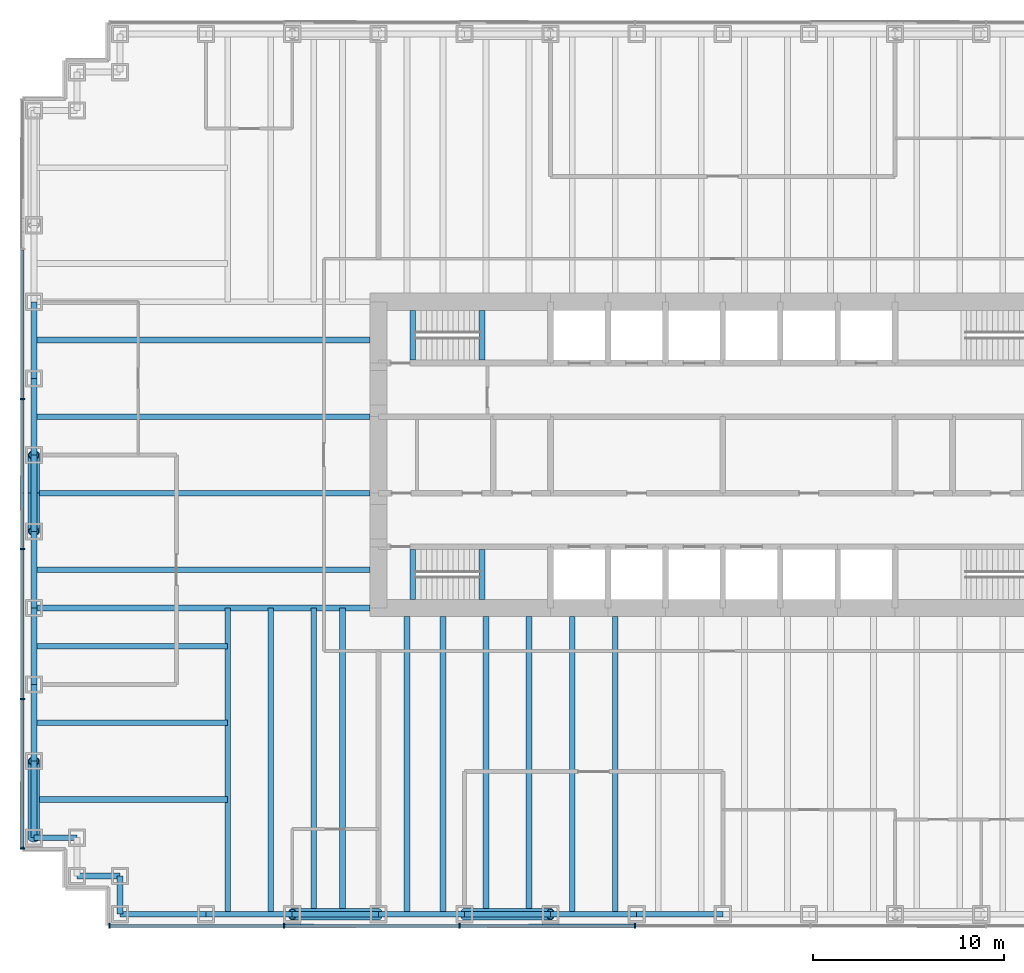
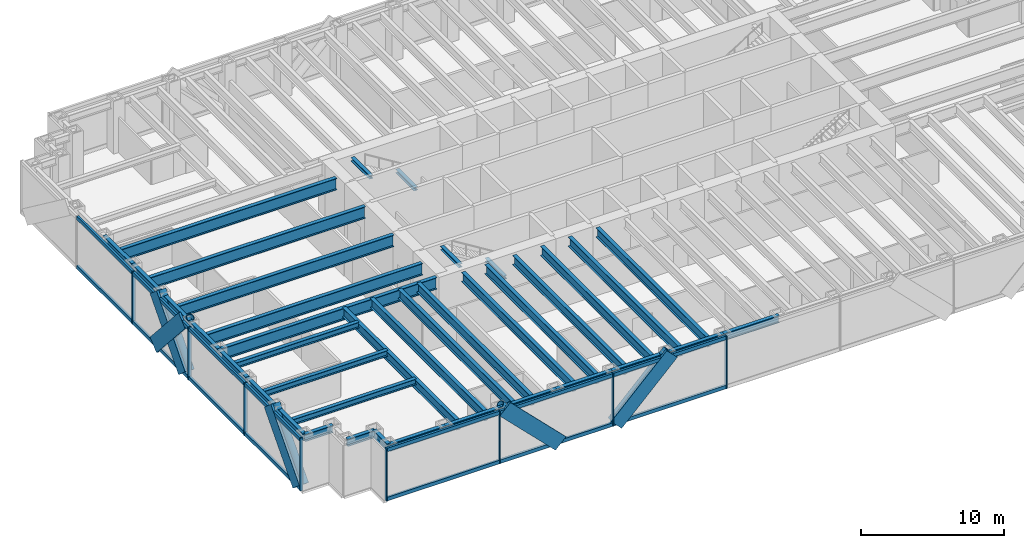
# One storey, part 2 of 13: 39 beams, 32 members, 2 elements without a shape of their own.
"""IFC4 building model written with IfcOpenShell, lengths in metres."""

from ifc_helpers import new_model, si_unit, direction, frame, origin, origin_2d, place, context, subcontext, project, spatial, rectangle, hollow_circle, i_section, extrude, material, material_profile, profile_set, type_object, element, aggregate, save


model = new_model("IFC4")

# Units and contexts
model_context = context("Model", 3, precision=1e-05, world=origin(), true_north=direction((0.0, 1.0)))
body_context = subcontext(model_context, "Body", "Model", "MODEL_VIEW")
ifc_project = project(units=[si_unit("LENGTHUNIT", "METRE"), si_unit("AREAUNIT", "SQUARE_METRE"), si_unit("VOLUMEUNIT", "CUBIC_METRE"), si_unit("PLANEANGLEUNIT", "RADIAN"), si_unit("MASSUNIT", "GRAM", prefix="KILO")], contexts=[model_context])

# Site, building, storey
site_placement = place(None, origin())
site = spatial("IfcSite", under=ifc_project, at=site_placement, CompositionType="ELEMENT")
building_placement = place(site_placement, origin())
building = spatial("IfcBuilding", under=site, at=building_placement, Name="Rheinbord Bourse Tower", CompositionType="ELEMENT")
storey_placement = place(building_placement, frame((0.0, 0.0, 81.5)))
storey = spatial("IfcBuildingStorey", under=building, at=storey_placement, Name="L17", CompositionType="ELEMENT", Elevation=81.5)

# Curtain wall, members
ifc_material_1 = material(Name="Dark glass and black aluminium", Category="aluminium")
curtain_wall_type = type_object("IfcCurtainWallType", Name="CW1 DARK GLASS CURTAIN WALL", PredefinedType="USERDEFINED", material=ifc_material_1)
curtain_wall_1_placement = place(storey_placement, origin())
curtain_wall_1 = element("IfcCurtainWall", 1, at=curtain_wall_1_placement, inside=storey, type_object=curtain_wall_type, Name="Curtain wall CW1 S L17", ObjectType="UNITISED CURTAIN WALL", PredefinedType="USERDEFINED")
ifc_material_2 = material(Name="Black anodised aluminium", Category="aluminium")
ifc_material_profile_1 = material_profile(ifc_material_2, rectangle(XDim=0.179931640625, YDim=1.2099609375, at=origin_2d()), Name="CW1 DIAGONAL MULLION 1210x180")
ifc_profile_set_1 = profile_set([ifc_material_profile_1], Name="Black anodised aluminium")
member_type_1 = type_object("IfcMemberType", Name="CW1 BLACK DIAGONAL MULLION", PredefinedType="USERDEFINED", material=ifc_profile_set_1)
member_1_placement = place(storey_placement, frame((22.5, -0.60009765625, 0.0), z_axis=(0.707106781187, 0.0, 0.707106781187), x_axis=(0.0, 1.0, 0.0)))
member_1 = element("IfcMember", 2, at=member_1_placement, type_object=member_type_1, Name="CW1 diagonal mullion b", ObjectType="DIAGONAL MULLION", PredefinedType="USERDEFINED", context=body_context, shape_type="SweptSolid", body=[
    extrude(rectangle(XDim=0.179931640625, YDim=1.2099609375, at=origin_2d()), origin(), (0.0, 0.0, 1.0), 6.364013671875),
])
member_2_placement = place(storey_placement, frame((18.0, -0.60009765625, 0.0), z_axis=(-0.707106781187, 0.0, 0.707106781187), x_axis=(0.0, -1.0, 0.0)))
member_2 = element("IfcMember", 3, at=member_2_placement, type_object=member_type_1, Name="CW1 diagonal mullion c", ObjectType="DIAGONAL MULLION", PredefinedType="USERDEFINED", context=body_context, shape_type="SweptSolid", body=[
    extrude(rectangle(XDim=0.179931640625, YDim=1.2099609375, at=origin_2d()), origin(), (0.0, 0.0, 1.0), 6.364013671875),
])

curtain_wall_2_placement = place(storey_placement, origin())
curtain_wall_2 = element("IfcCurtainWall", 4, at=curtain_wall_2_placement, inside=storey, type_object=curtain_wall_type, Name="Curtain wall CW1 W L17", ObjectType="UNITISED CURTAIN WALL", PredefinedType="USERDEFINED")
member_3_placement = place(storey_placement, frame((-0.60009765625, 4.0, 0.0), z_axis=(0.0, 0.66436383883, 0.747409318684), x_axis=(-1.0, 0.0, 0.0)))
member_3 = element("IfcMember", 5, at=member_3_placement, type_object=member_type_1, Name="CW1 diagonal mullion a", ObjectType="DIAGONAL MULLION", PredefinedType="USERDEFINED", context=body_context, shape_type="SweptSolid", body=[
    extrude(rectangle(XDim=0.179931640625, YDim=1.2099609375, at=origin_2d()), origin(), (0.0, 0.0, 1.0), 6.020751953125),
])
member_4_placement = place(storey_placement, frame((-0.60009765625, 20.0, 0.0), z_axis=(0.0, 0.66436383883, 0.747409318684), x_axis=(-1.0, 0.0, 0.0)))
member_4 = element("IfcMember", 6, at=member_4_placement, type_object=member_type_1, Name="CW1 diagonal mullion c", ObjectType="DIAGONAL MULLION", PredefinedType="USERDEFINED", context=body_context, shape_type="SweptSolid", body=[
    extrude(rectangle(XDim=0.179931640625, YDim=1.2099609375, at=origin_2d()), origin(), (0.0, 0.0, 1.0), 6.020751953125),
])
member_5_placement = place(storey_placement, frame((-0.60009765625, 24.0, 0.0), z_axis=(0.0, -0.66436383883, 0.747409318684), x_axis=(1.0, 0.0, 0.0)))
member_5 = element("IfcMember", 7, at=member_5_placement, type_object=member_type_1, Name="CW1 diagonal mullion d", ObjectType="DIAGONAL MULLION", PredefinedType="USERDEFINED", context=body_context, shape_type="SweptSolid", body=[
    extrude(rectangle(XDim=0.179931640625, YDim=1.2099609375, at=origin_2d()), origin(), (0.0, 0.0, 1.0), 6.020751953125),
])

# Member
ifc_material_3 = material(Name="Black anodised aluminium", Category="aluminium")
ifc_material_profile_2 = material_profile(ifc_material_3, rectangle(XDim=0.25, YDim=0.080078125, at=origin_2d()), Name="CW1 MULLION 80x250")
ifc_profile_set_2 = profile_set([ifc_material_profile_2], Name="Black anodised aluminium")
member_type_2 = type_object("IfcMemberType", Name="CW1 BLACK MULLION", PredefinedType="MULLION", material=ifc_profile_set_2)
member_6_placement = place(storey_placement, frame((3.93994140625, -0.60009765625, 0.0), z_axis=(0.0, 0.0, 1.0), x_axis=(0.0, 1.0, 0.0)))
member_6 = element("IfcMember", 8, at=member_6_placement, type_object=member_type_2, Name="CW1 mullion 1", PredefinedType="MULLION", context=body_context, shape_type="SweptSolid", body=[
    extrude(rectangle(XDim=0.25, YDim=0.080078125, at=origin_2d()), origin(), (0.0, 0.0, 1.0), 4.5),
])

member_7_placement = place(storey_placement, frame((13.071533203125, -0.60009765625, 0.0), z_axis=(0.0, 0.0, 1.0), x_axis=(0.0, 1.0, 0.0)))
member_7 = element("IfcMember", 9, at=member_7_placement, type_object=member_type_2, Name="CW1 mullion 2", PredefinedType="MULLION", context=body_context, shape_type="SweptSolid", body=[
    extrude(rectangle(XDim=0.25, YDim=0.080078125, at=origin_2d()), origin(), (0.0, 0.0, 1.0), 4.5),
])

member_8_placement = place(storey_placement, frame((22.242919921875, -0.60009765625, 0.0), z_axis=(0.0, 0.0, 1.0), x_axis=(0.0, 1.0, 0.0)))
member_8 = element("IfcMember", 10, at=member_8_placement, type_object=member_type_2, Name="CW1 mullion 3", PredefinedType="MULLION", context=body_context, shape_type="SweptSolid", body=[
    extrude(rectangle(XDim=0.25, YDim=0.080078125, at=origin_2d()), origin(), (0.0, 0.0, 1.0), 4.5),
])

member_9_placement = place(storey_placement, frame((31.414306640625, -0.60009765625, 0.0), z_axis=(0.0, 0.0, 1.0), x_axis=(0.0, 1.0, 0.0)))
member_9 = element("IfcMember", 11, at=member_9_placement, type_object=member_type_2, Name="CW1 mullion 4", PredefinedType="MULLION", context=body_context, shape_type="SweptSolid", body=[
    extrude(rectangle(XDim=0.25, YDim=0.080078125, at=origin_2d()), origin(), (0.0, 0.0, 1.0), 4.5),
])

member_10_placement = place(storey_placement, frame((-0.60009765625, 26.919921875, 0.0), z_axis=(0.0, 0.0, 1.0), x_axis=(1.0, 0.0, 0.0)))
member_10 = element("IfcMember", 12, at=member_10_placement, type_object=member_type_2, Name="CW1 mullion 3", PredefinedType="MULLION", context=body_context, shape_type="SweptSolid", body=[
    extrude(rectangle(XDim=0.25, YDim=0.080078125, at=origin_2d()), origin(), (0.0, 0.0, 1.0), 4.5),
])

member_11_placement = place(storey_placement, frame((-0.60009765625, 19.080078125, 0.0), z_axis=(0.0, 0.0, 1.0), x_axis=(1.0, 0.0, 0.0)))
member_11 = element("IfcMember", 13, at=member_11_placement, type_object=member_type_2, Name="CW1 mullion 4", PredefinedType="MULLION", context=body_context, shape_type="SweptSolid", body=[
    extrude(rectangle(XDim=0.25, YDim=0.080078125, at=origin_2d()), origin(), (0.0, 0.0, 1.0), 4.5),
])

member_12_placement = place(storey_placement, frame((-0.60009765625, 11.239990234375, 0.0), z_axis=(0.0, 0.0, 1.0), x_axis=(1.0, 0.0, 0.0)))
member_12 = element("IfcMember", 14, at=member_12_placement, type_object=member_type_2, Name="CW1 mullion 5", PredefinedType="MULLION", context=body_context, shape_type="SweptSolid", body=[
    extrude(rectangle(XDim=0.25, YDim=0.080078125, at=origin_2d()), origin(), (0.0, 0.0, 1.0), 4.5),
])

member_13_placement = place(storey_placement, frame((-0.60009765625, 3.43994140625, 0.0), z_axis=(0.0, 0.0, 1.0), x_axis=(1.0, 0.0, 0.0)))
member_13 = element("IfcMember", 15, at=member_13_placement, type_object=member_type_2, Name="CW1 mullion 6", PredefinedType="MULLION", context=body_context, shape_type="SweptSolid", body=[
    extrude(rectangle(XDim=0.25, YDim=0.080078125, at=origin_2d()), origin(), (0.0, 0.0, 1.0), 4.5),
])

ifc_material_4 = material(Name="Black anodised aluminium", Category="aluminium")
ifc_material_profile_3 = material_profile(ifc_material_4, rectangle(XDim=0.179931640625, YDim=0.300048828125, at=origin_2d()), Name="CW1 TRANSOM 300x180")
ifc_profile_set_3 = profile_set([ifc_material_profile_3], Name="Black anodised aluminium")
member_type_3 = type_object("IfcMemberType", Name="CW1 BLACK TRANSOM", PredefinedType="USERDEFINED", material=ifc_profile_set_3)
member_14_placement = place(storey_placement, frame((3.97998046875, -0.60009765625, 0.14990234375), z_axis=(1.0, 0.0, 0.0), x_axis=(0.0, 1.0, 0.0)))
member_14 = element("IfcMember", 16, at=member_14_placement, type_object=member_type_3, Name="CW1 transom 1.1", ObjectType="TRANSOM", PredefinedType="USERDEFINED", context=body_context, shape_type="SweptSolid", body=[
    extrude(rectangle(XDim=0.179931640625, YDim=0.300048828125, at=origin_2d()), origin(), (0.0, 0.0, 1.0), 9.051513671875),
])

member_15_placement = place(storey_placement, frame((3.97998046875, -0.60009765625, 4.35009765625), z_axis=(1.0, 0.0, 0.0), x_axis=(0.0, 1.0, 0.0)))
member_15 = element("IfcMember", 17, at=member_15_placement, type_object=member_type_3, Name="CW1 transom 1.2", ObjectType="TRANSOM", PredefinedType="USERDEFINED", context=body_context, shape_type="SweptSolid", body=[
    extrude(rectangle(XDim=0.179931640625, YDim=0.300048828125, at=origin_2d()), origin(), (0.0, 0.0, 1.0), 9.051513671875),
])

member_16_placement = place(storey_placement, frame((13.111328125, -0.60009765625, 0.14990234375), z_axis=(1.0, 0.0, 0.0), x_axis=(0.0, 1.0, 0.0)))
member_16 = element("IfcMember", 18, at=member_16_placement, type_object=member_type_3, Name="CW1 transom 2.1", ObjectType="TRANSOM", PredefinedType="USERDEFINED", context=body_context, shape_type="SweptSolid", body=[
    extrude(rectangle(XDim=0.179931640625, YDim=0.300048828125, at=origin_2d()), origin(), (0.0, 0.0, 1.0), 9.091552734375),
])

member_17_placement = place(storey_placement, frame((13.111328125, -0.60009765625, 4.35009765625), z_axis=(1.0, 0.0, 0.0), x_axis=(0.0, 1.0, 0.0)))
member_17 = element("IfcMember", 19, at=member_17_placement, type_object=member_type_3, Name="CW1 transom 2.2", ObjectType="TRANSOM", PredefinedType="USERDEFINED", context=body_context, shape_type="SweptSolid", body=[
    extrude(rectangle(XDim=0.179931640625, YDim=0.300048828125, at=origin_2d()), origin(), (0.0, 0.0, 1.0), 9.091552734375),
])

member_18_placement = place(storey_placement, frame((22.282958984375, -0.60009765625, 0.14990234375), z_axis=(1.0, 0.0, 0.0), x_axis=(0.0, 1.0, 0.0)))
member_18 = element("IfcMember", 20, at=member_18_placement, type_object=member_type_3, Name="CW1 transom 3.1", ObjectType="TRANSOM", PredefinedType="USERDEFINED", context=body_context, shape_type="SweptSolid", body=[
    extrude(rectangle(XDim=0.179931640625, YDim=0.300048828125, at=origin_2d()), origin(), (0.0, 0.0, 1.0), 9.09130859375),
])

member_19_placement = place(storey_placement, frame((22.282958984375, -0.60009765625, 4.35009765625), z_axis=(1.0, 0.0, 0.0), x_axis=(0.0, 1.0, 0.0)))
member_19 = element("IfcMember", 21, at=member_19_placement, type_object=member_type_3, Name="CW1 transom 3.2", ObjectType="TRANSOM", PredefinedType="USERDEFINED", context=body_context, shape_type="SweptSolid", body=[
    extrude(rectangle(XDim=0.179931640625, YDim=0.300048828125, at=origin_2d()), origin(), (0.0, 0.0, 1.0), 9.09130859375),
])

aggregate(curtain_wall_1, [member_6, member_7, member_8, member_9, member_14, member_15, member_16, member_17, member_18, member_19, member_1, member_2])

member_20_placement = place(storey_placement, frame((-0.60009765625, 34.719970703125, 0.14990234375), z_axis=(0.0, -1.0, 0.0), x_axis=(1.0, 0.0, 0.0)))
member_20 = element("IfcMember", 22, at=member_20_placement, type_object=member_type_3, Name="CW1 transom 2.1", ObjectType="TRANSOM", PredefinedType="USERDEFINED", context=body_context, shape_type="SweptSolid", body=[
    extrude(rectangle(XDim=0.179931640625, YDim=0.300048828125, at=origin_2d()), origin(), (0.0, 0.0, 1.0), 7.760009765625),
])

member_21_placement = place(storey_placement, frame((-0.60009765625, 34.719970703125, 4.35009765625), z_axis=(0.0, -1.0, 0.0), x_axis=(1.0, 0.0, 0.0)))
member_21 = element("IfcMember", 23, at=member_21_placement, type_object=member_type_3, Name="CW1 transom 2.2", ObjectType="TRANSOM", PredefinedType="USERDEFINED", context=body_context, shape_type="SweptSolid", body=[
    extrude(rectangle(XDim=0.179931640625, YDim=0.300048828125, at=origin_2d()), origin(), (0.0, 0.0, 1.0), 7.760009765625),
])

member_22_placement = place(storey_placement, frame((-0.60009765625, 26.8798828125, 0.14990234375), z_axis=(0.0, -1.0, 0.0), x_axis=(1.0, 0.0, 0.0)))
member_22 = element("IfcMember", 24, at=member_22_placement, type_object=member_type_3, Name="CW1 transom 3.1", ObjectType="TRANSOM", PredefinedType="USERDEFINED", context=body_context, shape_type="SweptSolid", body=[
    extrude(rectangle(XDim=0.179931640625, YDim=0.300048828125, at=origin_2d()), origin(), (0.0, 0.0, 1.0), 7.759765625),
])

member_23_placement = place(storey_placement, frame((-0.60009765625, 26.8798828125, 4.35009765625), z_axis=(0.0, -1.0, 0.0), x_axis=(1.0, 0.0, 0.0)))
member_23 = element("IfcMember", 25, at=member_23_placement, type_object=member_type_3, Name="CW1 transom 3.2", ObjectType="TRANSOM", PredefinedType="USERDEFINED", context=body_context, shape_type="SweptSolid", body=[
    extrude(rectangle(XDim=0.179931640625, YDim=0.300048828125, at=origin_2d()), origin(), (0.0, 0.0, 1.0), 7.759765625),
])

member_24_placement = place(storey_placement, frame((-0.60009765625, 19.0400390625, 0.14990234375), z_axis=(0.0, -1.0, 0.0), x_axis=(1.0, 0.0, 0.0)))
member_24 = element("IfcMember", 26, at=member_24_placement, type_object=member_type_3, Name="CW1 transom 4.1", ObjectType="TRANSOM", PredefinedType="USERDEFINED", context=body_context, shape_type="SweptSolid", body=[
    extrude(rectangle(XDim=0.179931640625, YDim=0.300048828125, at=origin_2d()), origin(), (0.0, 0.0, 1.0), 7.760009765625),
])

member_25_placement = place(storey_placement, frame((-0.60009765625, 19.0400390625, 4.35009765625), z_axis=(0.0, -1.0, 0.0), x_axis=(1.0, 0.0, 0.0)))
member_25 = element("IfcMember", 27, at=member_25_placement, type_object=member_type_3, Name="CW1 transom 4.2", ObjectType="TRANSOM", PredefinedType="USERDEFINED", context=body_context, shape_type="SweptSolid", body=[
    extrude(rectangle(XDim=0.179931640625, YDim=0.300048828125, at=origin_2d()), origin(), (0.0, 0.0, 1.0), 7.760009765625),
])

member_26_placement = place(storey_placement, frame((-0.60009765625, 11.199951171875, 0.14990234375), z_axis=(0.0, -1.0, 0.0), x_axis=(1.0, 0.0, 0.0)))
member_26 = element("IfcMember", 28, at=member_26_placement, type_object=member_type_3, Name="CW1 transom 5.1", ObjectType="TRANSOM", PredefinedType="USERDEFINED", context=body_context, shape_type="SweptSolid", body=[
    extrude(rectangle(XDim=0.179931640625, YDim=0.300048828125, at=origin_2d()), origin(), (0.0, 0.0, 1.0), 7.719970703125),
])

member_27_placement = place(storey_placement, frame((-0.60009765625, 11.199951171875, 4.35009765625), z_axis=(0.0, -1.0, 0.0), x_axis=(1.0, 0.0, 0.0)))
member_27 = element("IfcMember", 29, at=member_27_placement, type_object=member_type_3, Name="CW1 transom 5.2", ObjectType="TRANSOM", PredefinedType="USERDEFINED", context=body_context, shape_type="SweptSolid", body=[
    extrude(rectangle(XDim=0.179931640625, YDim=0.300048828125, at=origin_2d()), origin(), (0.0, 0.0, 1.0), 7.719970703125),
])

aggregate(curtain_wall_2, [member_10, member_11, member_12, member_13, member_20, member_21, member_22, member_23, member_24, member_25, member_26, member_27, member_3, member_4, member_5])

# Beams
ifc_material_5 = material(Name="Steel S460", Category="steel")
ifc_material_profile_4 = material_profile(ifc_material_5, i_section(OverallWidth=0.302001953125, OverallDepth=1.008056640625, WebThickness=0.02099609375, FlangeThickness=0.0400390625, at=origin_2d()), Name="HEM 1000")
ifc_profile_set_4 = profile_set([ifc_material_profile_4], Name="Steel S460")
beam_type_1 = type_object("IfcBeamType", Name="END BEAM HEM 1000", PredefinedType="BEAM", material=ifc_profile_set_4)
for number, where, z_axis, x_axis, name in (
    (30, (0.0, 18.0, 3.81591796875), (1.0, 0.0, 0.0), (0.0, 1.0, 0.0), "End beam west 18 L18"),
    (31, (0.0, 22.0, 3.81591796875), (1.0, 0.0, 0.0), (0.0, 1.0, 0.0), "End beam west 22 L18"),
    (32, (0.0, 26.0, 3.81591796875), (1.0, 0.0, 0.0), (0.0, 1.0, 0.0), "End beam west 26 L18"),
    (33, (0.0, 30.0, 3.81591796875), (1.0, 0.0, 0.0), (0.0, 1.0, 0.0), "End beam west 30 L18"),
):
    element("IfcBeam", number, at=place(storey_placement, frame(where, z_axis=z_axis, x_axis=x_axis)), inside=storey, type_object=beam_type_1, Name=name, PredefinedType="BEAM", context=body_context, shape_type="SweptSolid", body=[
        extrude(i_section(OverallWidth=0.302001953125, OverallDepth=1.008056640625, WebThickness=0.02099609375, FlangeThickness=0.0400390625, at=origin_2d()), origin(), (0.0, 0.0, 1.0), 17.550048828125),
    ])
ifc_material_6 = material(Name="Steel S460", Category="steel")
ifc_material_profile_5 = material_profile(ifc_material_6, i_section(OverallWidth=0.300048828125, OverallDepth=0.800048828125, WebThickness=0.017578125, FlangeThickness=0.032958984375, at=origin_2d()), Name="HEB 800")
ifc_profile_set_5 = profile_set([ifc_material_profile_5], Name="Steel S460")
beam_type_2 = type_object("IfcBeamType", Name="FLOOR BEAM HEB 800", PredefinedType="BEAM", material=ifc_profile_set_5)
for number, where, z_axis, x_axis, name in (
    (34, (10.125, 0.0, 3.919921875), (0.0, 1.0, 0.0), (-1.0, 0.0, 0.0), "Floor beam S-9a L18"),
    (35, (12.375, 0.0, 3.919921875), (0.0, 1.0, 0.0), (-1.0, 0.0, 0.0), "Floor beam S-9b L18"),
    (36, (14.625, 0.0, 3.919921875), (0.0, 1.0, 0.0), (-1.0, 0.0, 0.0), "Floor beam S-13.5a L18"),
    (37, (16.125, 0.0, 3.919921875), (0.0, 1.0, 0.0), (-1.0, 0.0, 0.0), "Floor beam S-13.5b L18"),
):
    element("IfcBeam", number, at=place(storey_placement, frame(where, z_axis=z_axis, x_axis=x_axis)), inside=storey, type_object=beam_type_2, Name=name, PredefinedType="BEAM", context=body_context, shape_type="SweptSolid", body=[
        extrude(i_section(OverallWidth=0.300048828125, OverallDepth=0.800048828125, WebThickness=0.017578125, FlangeThickness=0.032958984375, at=origin_2d()), origin(), (0.0, 0.0, 1.0), 16.0),
    ])
for number, where, z_axis, x_axis, name in (
    (38, (19.5, 0.0, 3.919921875), (0.0, 1.0, 0.0), (-1.0, 0.0, 0.0), "Floor beam S-18a L18"),
    (39, (21.375, 0.0, 3.919921875), (0.0, 1.0, 0.0), (-1.0, 0.0, 0.0), "Floor beam S-18b L18"),
    (40, (23.625, 0.0, 3.919921875), (0.0, 1.0, 0.0), (-1.0, 0.0, 0.0), "Floor beam S-22.5a L18"),
    (41, (25.875, 0.0, 3.919921875), (0.0, 1.0, 0.0), (-1.0, 0.0, 0.0), "Floor beam S-22.5b L18"),
    (42, (28.125, 0.0, 3.919921875), (0.0, 1.0, 0.0), (-1.0, 0.0, 0.0), "Floor beam S-27a L18"),
    (43, (30.375, 0.0, 3.919921875), (0.0, 1.0, 0.0), (-1.0, 0.0, 0.0), "Floor beam S-27b L18"),
):
    element("IfcBeam", number, at=place(storey_placement, frame(where, z_axis=z_axis, x_axis=x_axis)), inside=storey, type_object=beam_type_2, Name=name, PredefinedType="BEAM", context=body_context, shape_type="SweptSolid", body=[
        extrude(i_section(OverallWidth=0.300048828125, OverallDepth=0.800048828125, WebThickness=0.017578125, FlangeThickness=0.032958984375, at=origin_2d()), origin(), (0.0, 0.0, 1.0), 15.550048828125),
    ])
ifc_material_7 = material(Name="Steel S460", Category="steel")
ifc_material_profile_6 = material_profile(ifc_material_7, i_section(OverallWidth=0.302001953125, OverallDepth=1.008056640625, WebThickness=0.02099609375, FlangeThickness=0.0400390625, at=origin_2d()), Name="HEM 1000")
ifc_profile_set_6 = profile_set([ifc_material_profile_6], Name="Steel S460")
beam_type_3 = type_object("IfcBeamType", Name="GIRDER HEM 1000", PredefinedType="BEAM", material=ifc_profile_set_6)
beam_1_placement = place(storey_placement, frame((0.0, 16.0, 3.81591796875), z_axis=(1.0, 0.0, 0.0), x_axis=(0.0, 1.0, 0.0)))
element("IfcBeam", 44, at=beam_1_placement, inside=storey, type_object=beam_type_3, Name="Girder west 16 L18", PredefinedType="BEAM", context=body_context, shape_type="SweptSolid", body=[
    extrude(i_section(OverallWidth=0.302001953125, OverallDepth=1.008056640625, WebThickness=0.02099609375, FlangeThickness=0.0400390625, at=origin_2d()), origin(), (0.0, 0.0, 1.0), 17.550048828125),
])
ifc_material_8 = material(Name="Steel S460", Category="steel")
ifc_material_profile_7 = material_profile(ifc_material_8, i_section(OverallWidth=0.300048828125, OverallDepth=0.300048828125, WebThickness=0.010986328125, FlangeThickness=0.01904296875, at=origin_2d()), Name="HEB 300")
ifc_profile_set_7 = profile_set([ifc_material_profile_7], Name="Steel S460")
beam_type_4 = type_object("IfcBeamType", Name="LANDING TRIMMER HEB 300", PredefinedType="BEAM", material=ifc_profile_set_7)
for number, where, z_axis, x_axis, name in (
    (45, (23.409912109375, 16.449951171875, 1.89990234375), (0.0, 1.0, 0.0), (-1.0, 0.0, 0.0), "Landing trimmer ST1 L17"),
    (46, (19.800048828125, 16.449951171875, 4.169921875), (0.0, 1.0, 0.0), (-1.0, 0.0, 0.0), "Well trimmer ST1 under L18"),
    (47, (23.409912109375, 28.949951171875, 1.89990234375), (0.0, 1.0, 0.0), (-1.0, 0.0, 0.0), "Landing trimmer ST2 L17"),
    (48, (19.800048828125, 28.949951171875, 4.169921875), (0.0, 1.0, 0.0), (-1.0, 0.0, 0.0), "Well trimmer ST2 under L18"),
):
    element("IfcBeam", number, at=place(storey_placement, frame(where, z_axis=z_axis, x_axis=x_axis)), inside=storey, type_object=beam_type_4, Name=name, PredefinedType="BEAM", context=body_context, shape_type="SweptSolid", body=[
        extrude(i_section(OverallWidth=0.300048828125, OverallDepth=0.300048828125, WebThickness=0.010986328125, FlangeThickness=0.01904296875, at=origin_2d()), origin(), (0.0, 0.0, 1.0), 2.60009765625),
    ])

# Members
ifc_material_9 = material(Name="Steel S460", Category="steel")
ifc_material_profile_8 = material_profile(ifc_material_9, hollow_circle(Radius=0.304931640625, WallThickness=0.050048828125, at=origin_2d()), Name="CHS 610x50")
ifc_profile_set_8 = profile_set([ifc_material_profile_8], Name="Steel S460")
member_type_4 = type_object("IfcMemberType", Name="MEGABRACE CHS 610x50", PredefinedType="BRACE", material=ifc_profile_set_8)
for number, where, z_axis, x_axis, name in (
    (49, (22.5, 0.0, 0.0), (0.707106781187, 0.0, 0.707106781187), (0.0, 1.0, 0.0), "Megabrace S face line b L17"),
    (50, (18.0, 0.0, 0.0), (-0.707106781187, 0.0, 0.707106781187), (0.0, -1.0, 0.0), "Megabrace S face line c L17"),
):
    element("IfcMember", number, at=place(storey_placement, frame(where, z_axis=z_axis, x_axis=x_axis)), inside=storey, type_object=member_type_4, Name=name, PredefinedType="BRACE", context=body_context, shape_type="SweptSolid", body=[
        extrude(hollow_circle(Radius=0.304931640625, WallThickness=0.050048828125, at=origin_2d()), origin(), (0.0, 0.0, 1.0), 6.364013671875),
    ])
for number, where, z_axis, x_axis, name in (
    (51, (0.0, 4.0, 0.0), (0.0, 0.66436383883, 0.747409318684), (-1.0, 0.0, 0.0), "Megabrace W face line a L17"),
    (52, (0.0, 20.0, 0.0), (0.0, 0.66436383883, 0.747409318684), (-1.0, 0.0, 0.0), "Megabrace W face line c L17"),
    (53, (0.0, 24.0, 0.0), (0.0, -0.66436383883, 0.747409318684), (1.0, 0.0, 0.0), "Megabrace W face line d L17"),
):
    element("IfcMember", number, at=place(storey_placement, frame(where, z_axis=z_axis, x_axis=x_axis)), inside=storey, type_object=member_type_4, Name=name, PredefinedType="BRACE", context=body_context, shape_type="SweptSolid", body=[
        extrude(hollow_circle(Radius=0.304931640625, WallThickness=0.050048828125, at=origin_2d()), origin(), (0.0, 0.0, 1.0), 6.020751953125),
    ])

# Beams
ifc_material_10 = material(Name="Steel S460", Category="steel")
ifc_material_profile_9 = material_profile(ifc_material_10, i_section(OverallWidth=0.304931640625, OverallDepth=0.6201171875, WebThickness=0.02099609375, FlangeThickness=0.0400390625, at=origin_2d()), Name="HEM 600")
ifc_profile_set_9 = profile_set([ifc_material_profile_9], Name="Steel S460")
beam_type_5 = type_object("IfcBeamType", Name="SPANDREL HEM 600", PredefinedType="SPANDREL", material=ifc_profile_set_9)
for number, where, z_axis, x_axis, name in (
    (54, (4.5, 0.0, 4.010009765625), (1.0, 0.0, 0.0), (0.0, 1.0, 0.0), "Spandrel SW-E-S-9 under L18"),
    (55, (9.0, 0.0, 4.010009765625), (1.0, 0.0, 0.0), (0.0, 1.0, 0.0), "Spandrel S-9-S-13.5 under L18"),
    (56, (13.5, 0.0, 4.010009765625), (1.0, 0.0, 0.0), (0.0, 1.0, 0.0), "Spandrel S-13.5-S-18 under L18"),
    (57, (18.0, 0.0, 4.010009765625), (1.0, 0.0, 0.0), (0.0, 1.0, 0.0), "Spandrel S-18-S-22.5 under L18"),
    (58, (22.5, 0.0, 4.010009765625), (1.0, 0.0, 0.0), (0.0, 1.0, 0.0), "Spandrel S-22.5-S-27 under L18"),
    (59, (27.0, 0.0, 4.010009765625), (1.0, 0.0, 0.0), (0.0, 1.0, 0.0), "Spandrel S-27-S-31.5 under L18"),
    (60, (31.5, 0.0, 4.010009765625), (1.0, 0.0, 0.0), (0.0, 1.0, 0.0), "Spandrel S-31.5-S-36 under L18"),
):
    element("IfcBeam", number, at=place(storey_placement, frame(where, z_axis=z_axis, x_axis=x_axis)), inside=storey, type_object=beam_type_5, Name=name, PredefinedType="SPANDREL", context=body_context, shape_type="SweptSolid", body=[
        extrude(i_section(OverallWidth=0.304931640625, OverallDepth=0.6201171875, WebThickness=0.02099609375, FlangeThickness=0.0400390625, at=origin_2d()), origin(), (0.0, 0.0, 1.0), 4.5),
    ])
for number, where, z_axis, x_axis, name in (
    (61, (0.0, 32.0, 4.010009765625), (0.0, -1.0, 0.0), (1.0, 0.0, 0.0), "Spandrel W-32-W-28 under L18"),
    (62, (0.0, 28.0, 4.010009765625), (0.0, -1.0, 0.0), (1.0, 0.0, 0.0), "Spandrel W-28-W-24 under L18"),
    (63, (0.0, 24.0, 4.010009765625), (0.0, -1.0, 0.0), (1.0, 0.0, 0.0), "Spandrel W-24-W-20 under L18"),
    (64, (0.0, 20.0, 4.010009765625), (0.0, -1.0, 0.0), (1.0, 0.0, 0.0), "Spandrel W-20-W-16 under L18"),
    (65, (0.0, 16.0, 4.010009765625), (0.0, -1.0, 0.0), (1.0, 0.0, 0.0), "Spandrel W-16-W-12 under L18"),
    (66, (0.0, 12.0, 4.010009765625), (0.0, -1.0, 0.0), (1.0, 0.0, 0.0), "Spandrel W-12-W-8 under L18"),
    (67, (0.0, 8.0, 4.010009765625), (0.0, -1.0, 0.0), (1.0, 0.0, 0.0), "Spandrel W-8-SW-A under L18"),
):
    element("IfcBeam", number, at=place(storey_placement, frame(where, z_axis=z_axis, x_axis=x_axis)), inside=storey, type_object=beam_type_5, Name=name, PredefinedType="SPANDREL", context=body_context, shape_type="SweptSolid", body=[
        extrude(i_section(OverallWidth=0.304931640625, OverallDepth=0.6201171875, WebThickness=0.02099609375, FlangeThickness=0.0400390625, at=origin_2d()), origin(), (0.0, 0.0, 1.0), 4.0),
    ])
for number, where, z_axis, x_axis, name in (
    (68, (0.0, 4.0, 4.010009765625), (1.0, 0.0, 0.0), (0.0, 1.0, 0.0), "Spandrel SW-A-SW-B under L18"),
    (69, (2.25, 2.0, 4.010009765625), (1.0, 0.0, 0.0), (0.0, 1.0, 0.0), "Spandrel SW-C-SW-D under L18"),
):
    element("IfcBeam", number, at=place(storey_placement, frame(where, z_axis=z_axis, x_axis=x_axis)), inside=storey, type_object=beam_type_5, Name=name, PredefinedType="SPANDREL", context=body_context, shape_type="SweptSolid", body=[
        extrude(i_section(OverallWidth=0.304931640625, OverallDepth=0.6201171875, WebThickness=0.02099609375, FlangeThickness=0.0400390625, at=origin_2d()), origin(), (0.0, 0.0, 1.0), 2.25),
    ])
beam_2_placement = place(storey_placement, frame((4.5, 2.0, 4.010009765625), z_axis=(0.0, -1.0, 0.0), x_axis=(1.0, 0.0, 0.0)))
element("IfcBeam", 70, at=beam_2_placement, inside=storey, type_object=beam_type_5, Name="Spandrel SW-D-SW-E under L18", PredefinedType="SPANDREL", context=body_context, shape_type="SweptSolid", body=[
    extrude(i_section(OverallWidth=0.304931640625, OverallDepth=0.6201171875, WebThickness=0.02099609375, FlangeThickness=0.0400390625, at=origin_2d()), origin(), (0.0, 0.0, 1.0), 2.0),
])
ifc_material_11 = material(Name="Steel S460", Category="steel")
ifc_material_profile_10 = material_profile(ifc_material_11, i_section(OverallWidth=0.300048828125, OverallDepth=0.5, WebThickness=0.014404296875, FlangeThickness=0.028076171875, at=origin_2d()), Name="HEB 500")
ifc_profile_set_10 = profile_set([ifc_material_profile_10], Name="Steel S460")
beam_type_6 = type_object("IfcBeamType", Name="TIE BEAM HEB 500", PredefinedType="JOIST", material=ifc_profile_set_10)
for number, where, z_axis, x_axis, name in (
    (71, (0.0, 6.0, 4.070068359375), (1.0, 0.0, 0.0), (0.0, 1.0, 0.0), "Tie west 6 L18"),
    (72, (0.0, 10.0, 4.070068359375), (1.0, 0.0, 0.0), (0.0, 1.0, 0.0), "Tie west 10 L18"),
    (73, (0.0, 14.0, 4.070068359375), (1.0, 0.0, 0.0), (0.0, 1.0, 0.0), "Tie west 14 L18"),
):
    element("IfcBeam", number, at=place(storey_placement, frame(where, z_axis=z_axis, x_axis=x_axis)), inside=storey, type_object=beam_type_6, Name=name, PredefinedType="JOIST", context=body_context, shape_type="SweptSolid", body=[
        extrude(i_section(OverallWidth=0.300048828125, OverallDepth=0.5, WebThickness=0.014404296875, FlangeThickness=0.028076171875, at=origin_2d()), origin(), (0.0, 0.0, 1.0), 10.125),
    ])

save(model, "model.ifc")
